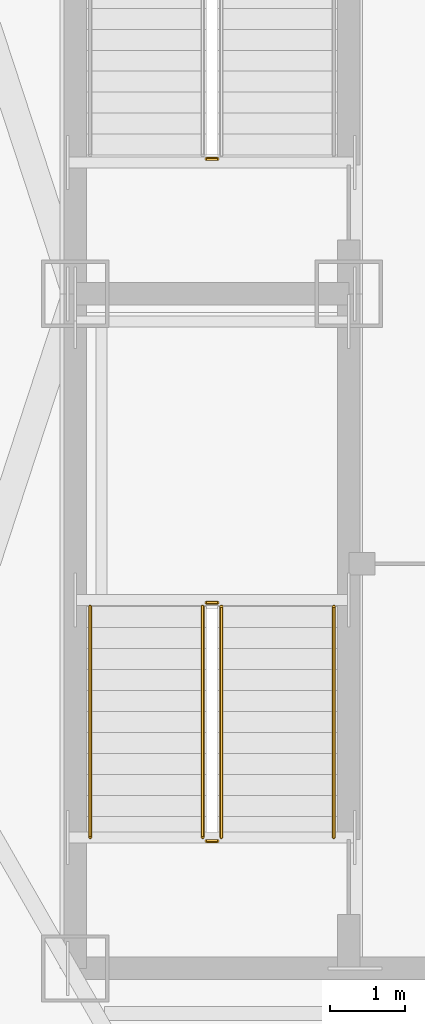
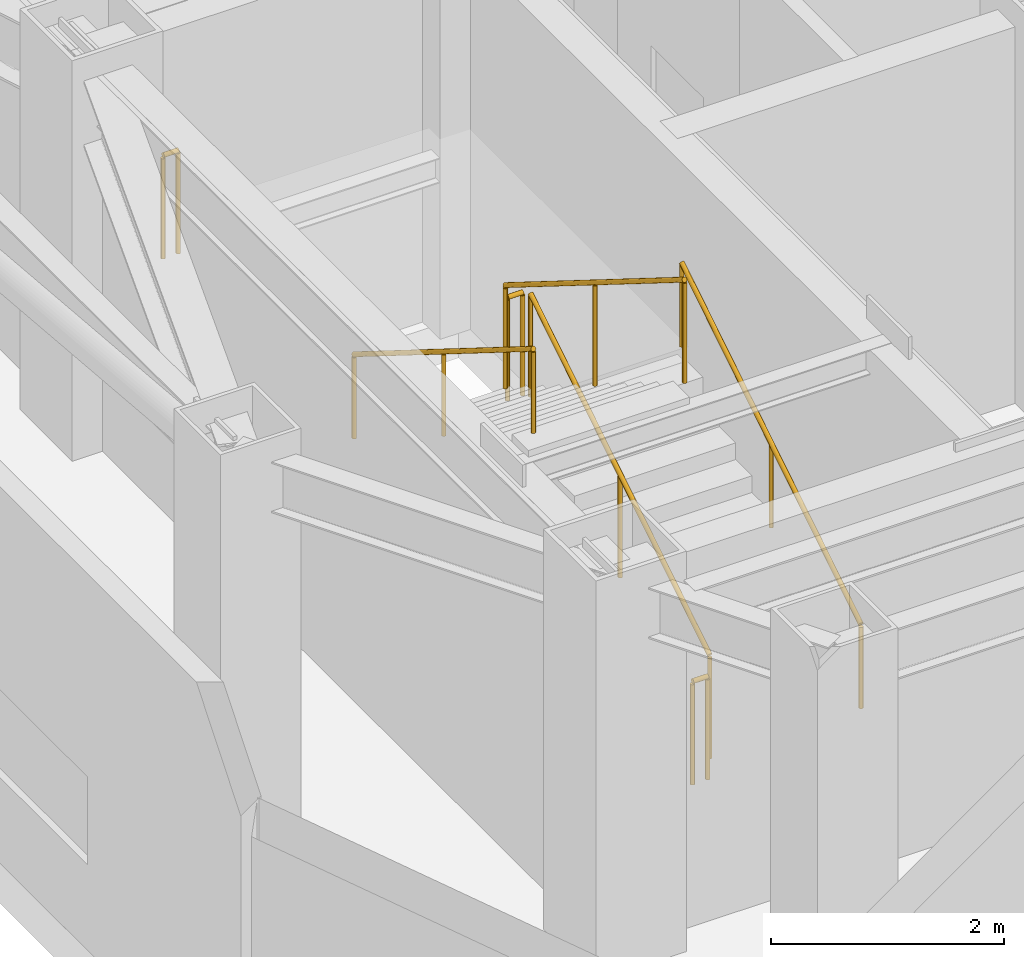
# One storey, part 9 of 12: 7 railings.
"""IFC4 building model written with IfcOpenShell, lengths in metres."""

from ifc_helpers import new_model, si_unit, direction, frame, origin, origin_2d, place, context, subcontext, project, spatial, circle, extrude, material, type_object, element, save


model = new_model("IFC4")

# Units and contexts
model_context = context("Model", 3, precision=1e-05, world=origin(), true_north=direction((0.0, 1.0)))
body_context = subcontext(model_context, "Body", "Model", "MODEL_VIEW")
ifc_project = project(units=[si_unit("LENGTHUNIT", "METRE"), si_unit("AREAUNIT", "SQUARE_METRE"), si_unit("VOLUMEUNIT", "CUBIC_METRE"), si_unit("PLANEANGLEUNIT", "RADIAN"), si_unit("MASSUNIT", "GRAM", prefix="KILO")], contexts=[model_context])

# Site, building, storey
site_placement = place(None, origin())
site = spatial("IfcSite", under=ifc_project, at=site_placement, CompositionType="ELEMENT")
building_placement = place(site_placement, origin())
building = spatial("IfcBuilding", under=site, at=building_placement, Name="Khamvora Tower", CompositionType="ELEMENT")
storey_placement = place(building_placement, frame((0.0, 0.0, 286.25)))
storey = spatial("IfcBuildingStorey", under=building, at=storey_placement, Name="L73", CompositionType="ELEMENT", Elevation=286.25)

# Railings
ifc_material_1 = material(Name="Brushed Stainless Steel 316", Category="steel")
railing_type_1 = type_object("IfcRailingType", Name="RAL-HDR-920", PredefinedType="HANDRAIL", material=ifc_material_1)
railing_1_placement = place(storey_placement, frame((32.449951171875, 20.75, 0.175048828125)))
element("IfcRailing", 1, at=railing_1_placement, inside=storey, type_object=railing_type_1, Name="L73 ST-01 stair handrail 1", PredefinedType="HANDRAIL", context=body_context, shape_type="SweptSolid", body=[
    extrude(circle(Radius=0.02392578125, at=origin_2d()), frame((0.0, 0.0, 0.8759765625), z_axis=(0.0, 0.847998304005, 0.529998940003), x_axis=(-1.0, 0.0, 0.0)), (0.0, 0.0, 1.0), 3.632080078125),
    extrude(circle(Radius=0.02099609375, at=origin_2d()), origin(), (0.0, 0.0, 1.0), 0.851806640625),
    extrude(circle(Radius=0.02099609375, at=origin_2d()), frame((0.0, 1.5400390625, 0.96240234375)), (0.0, 0.0, 1.0), 0.851806640625),
    extrude(circle(Radius=0.02099609375, at=origin_2d()), frame((0.0, 3.080078125, 1.925048828125)), (0.0, 0.0, 1.0), 0.851806640625),
])
railing_2_placement = place(storey_placement, frame((29.199951171875, 23.830078125, 2.27490234375)))
element("IfcRailing", 2, at=railing_2_placement, inside=storey, type_object=railing_type_1, Name="L73 ST-01 stair handrail 2", PredefinedType="HANDRAIL", context=body_context, shape_type="SweptSolid", body=[
    extrude(circle(Radius=0.02392578125, at=origin_2d()), frame((0.0, 0.0, 0.8759765625), z_axis=(0.0, -0.847998304005, 0.529998940003), x_axis=(1.0, 0.0, 0.0)), (0.0, 0.0, 1.0), 3.632080078125),
    extrude(circle(Radius=0.02099609375, at=origin_2d()), origin(), (0.0, 0.0, 1.0), 0.851806640625),
    extrude(circle(Radius=0.02099609375, at=origin_2d()), frame((0.0, -1.5400390625, 0.96240234375)), (0.0, 0.0, 1.0), 0.851806640625),
    extrude(circle(Radius=0.02099609375, at=origin_2d()), frame((0.0, -3.080078125, 1.925048828125)), (0.0, 0.0, 1.0), 0.851806640625),
])
ifc_material_2 = material(Name="Stainless Steel 316", Category="steel")
railing_type_2 = type_object("IfcRailingType", Name="RAL-STG-1100", PredefinedType="GUARDRAIL", material=ifc_material_2)
railing_3_placement = place(storey_placement, frame((30.949951171875, 20.75, 0.175048828125)))
element("IfcRailing", 3, at=railing_3_placement, inside=storey, type_object=railing_type_2, Name="L73 ST-01 stair guard 1", PredefinedType="GUARDRAIL", context=body_context, shape_type="SweptSolid", body=[
    extrude(circle(Radius=0.02392578125, at=origin_2d()), frame((0.0, 0.0, 1.076171875), z_axis=(0.0, 0.847998304005, 0.529998940003), x_axis=(-1.0, 0.0, 0.0)), (0.0, 0.0, 1.0), 3.632080078125),
    extrude(circle(Radius=0.02099609375, at=origin_2d()), origin(), (0.0, 0.0, 1.0), 1.052001953125),
    extrude(circle(Radius=0.02099609375, at=origin_2d()), frame((0.0, 1.5400390625, 0.96240234375)), (0.0, 0.0, 1.0), 1.052001953125),
    extrude(circle(Radius=0.02099609375, at=origin_2d()), frame((0.0, 3.080078125, 1.925048828125)), (0.0, 0.0, 1.0), 1.052001953125),
])
railing_4_placement = place(storey_placement, frame((30.89990234375, 23.8798828125, 2.10009765625)))
element("IfcRailing", 4, at=railing_4_placement, inside=storey, type_object=railing_type_2, Name="L73 ST-01 stair guard 2", PredefinedType="GUARDRAIL", context=body_context, shape_type="SweptSolid", body=[
    extrude(circle(Radius=0.02392578125, at=origin_2d()), frame((0.0, 0.0, 1.076171875), z_axis=(-1.0, 0.0, 0.0), x_axis=(0.0, -1.0, 0.0)), (0.0, 0.0, 1.0), 0.14990234375),
    extrude(circle(Radius=0.02099609375, at=origin_2d()), origin(), (0.0, 0.0, 1.0), 1.052001953125),
    extrude(circle(Radius=0.02099609375, at=origin_2d()), frame((-0.14990234375, 0.0, 0.0)), (0.0, 0.0, 1.0), 1.052001953125),
])
railing_5_placement = place(storey_placement, frame((30.699951171875, 23.830078125, 2.27490234375)))
element("IfcRailing", 5, at=railing_5_placement, inside=storey, type_object=railing_type_2, Name="L73 ST-01 stair guard 3", PredefinedType="GUARDRAIL", context=body_context, shape_type="SweptSolid", body=[
    extrude(circle(Radius=0.02392578125, at=origin_2d()), frame((0.0, 0.0, 1.076171875), z_axis=(0.0, -0.847998304005, 0.529998940003), x_axis=(1.0, 0.0, 0.0)), (0.0, 0.0, 1.0), 3.632080078125),
    extrude(circle(Radius=0.02099609375, at=origin_2d()), origin(), (0.0, 0.0, 1.0), 1.052001953125),
    extrude(circle(Radius=0.02099609375, at=origin_2d()), frame((0.0, -1.5400390625, 0.96240234375)), (0.0, 0.0, 1.0), 1.052001953125),
    extrude(circle(Radius=0.02099609375, at=origin_2d()), frame((0.0, -3.080078125, 1.925048828125)), (0.0, 0.0, 1.0), 1.052001953125),
])
for number, where, name in (
    (6, (30.89990234375, 20.699951171875, 0.0), "L73 ST-01 stair guard 4"),
    (7, (30.89990234375, 29.800048828125, 0.0), "L73 ST-02 stair guard 4"),
):
    element("IfcRailing", number, at=place(storey_placement, frame(where)), inside=storey, type_object=railing_type_2, Name=name, PredefinedType="GUARDRAIL", context=body_context, shape_type="SweptSolid", body=[
        extrude(circle(Radius=0.02392578125, at=origin_2d()), frame((0.0, 0.0, 1.076171875), z_axis=(-1.0, 0.0, 0.0), x_axis=(0.0, -1.0, 0.0)), (0.0, 0.0, 1.0), 0.14990234375),
        extrude(circle(Radius=0.02099609375, at=origin_2d()), origin(), (0.0, 0.0, 1.0), 1.052001953125),
        extrude(circle(Radius=0.02099609375, at=origin_2d()), frame((-0.14990234375, 0.0, 0.0)), (0.0, 0.0, 1.0), 1.052001953125),
    ])

save(model, "model.ifc")
